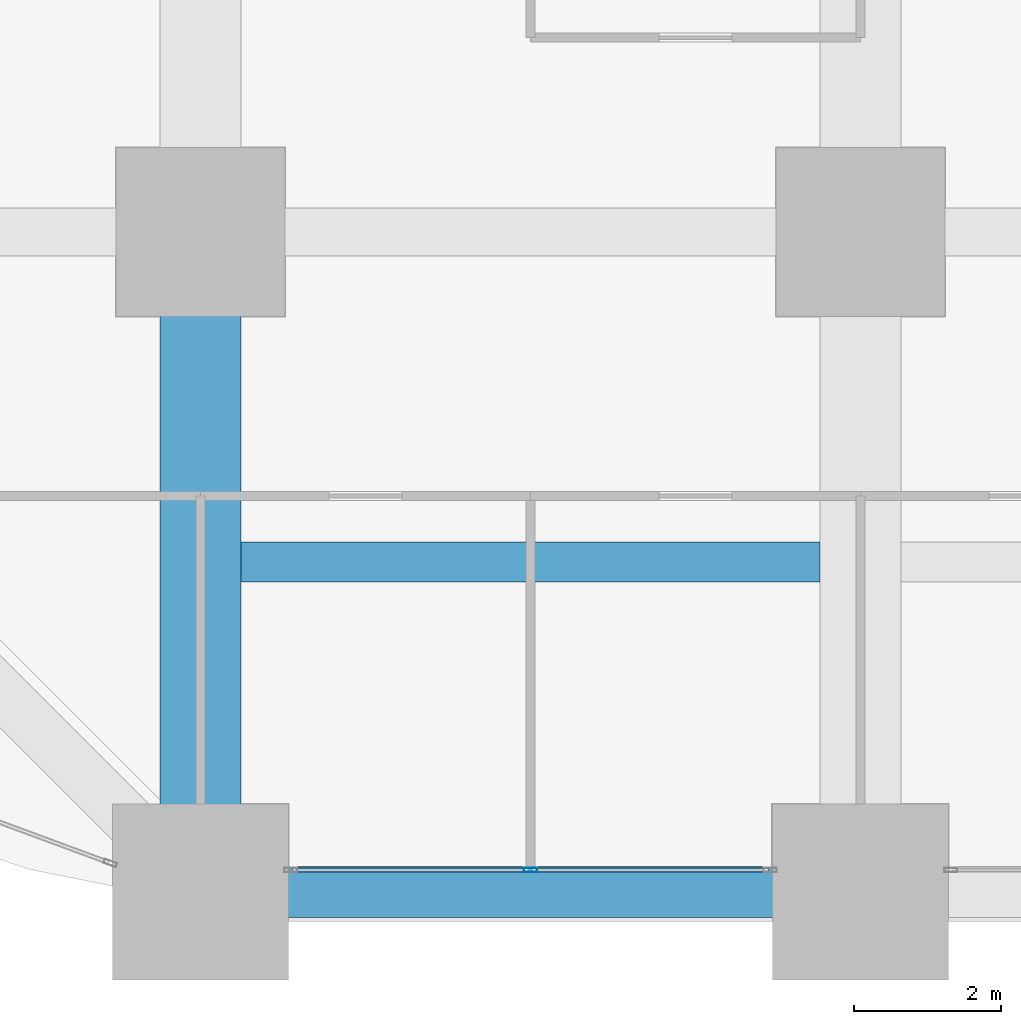
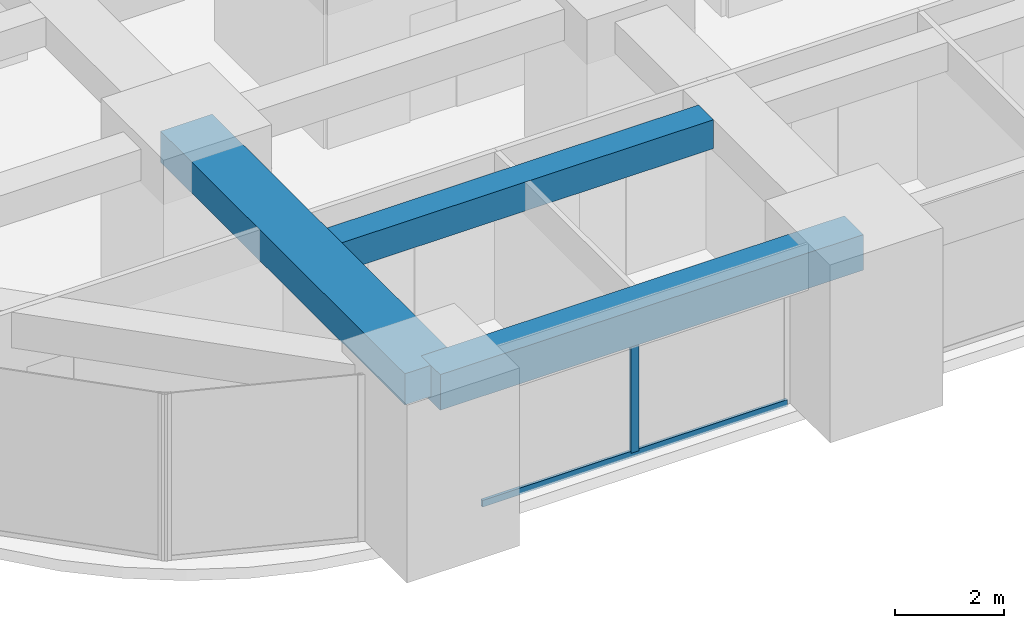
# One storey, part 3 of 45: 3 beams, 2 members, 1 element without a shape of its own.
"""IFC4 building model written with IfcOpenShell, lengths in metres."""

import ifcopenshell
import ifcopenshell.guid

model = None  # the IFC model being written
_history = None  # IfcOwnerHistory: only IFC2X3 demands one
_inside = {}  # id of a spatial element -> (the spatial element, [elements in it])
_under = {}  # id of a project, library or spatial element -> (it, [spatial elements below it])
_declared = {}  # id of a project -> (the project, [libraries it declares])
_typed = {}  # id of a type object -> (the type object, [elements of that type])
_made_of = {}  # id of a material, layer set ... -> (it, [elements and type objects made of it])


def new_model(schema):
    """Start an empty IFC model of exactly this schema.

    Asked for "IFC4X3", IfcOpenShell would pick the latest addendum, in which some entities
    have other attributes; the version numbers below select the first issue.
    IFC2X3 requires an IfcOwnerHistory on every rooted entity: one is made here for all.
    """
    global model, _history
    if schema == "IFC4X3":
        model = ifcopenshell.file(schema_version=(4, 3, 0, 0))
    else:
        model = ifcopenshell.file(schema=schema)
    _inside.clear()
    _under.clear()
    _declared.clear()
    _typed.clear()
    _made_of.clear()
    _history = None
    if model.schema == "IFC2X3":
        org = make("IfcOrganization", Name="unknown")
        user = make(
            "IfcPersonAndOrganization",
            ThePerson=make("IfcPerson", FamilyName="unknown"),
            TheOrganization=org,
        )
        app = make(
            "IfcApplication",
            ApplicationDeveloper=org,
            Version="unknown",
            ApplicationFullName="unknown",
            ApplicationIdentifier="unknown",
        )
        _history = make(
            "IfcOwnerHistory",
            OwningUser=user,
            OwningApplication=app,
            ChangeAction="ADDED",
            CreationDate=0,
        )
    return model


def make(cls, **values):
    """One entity of the class cls with the attributes given. An attribute that is None is left unset."""
    return model.create_entity(
        cls, **{name: value for name, value in values.items() if value is not None}
    )


def rooted(cls, **values):
    """An entity with a GlobalId (a new one), such as an element, a storey or a relation."""
    return make(cls, GlobalId=ifcopenshell.guid.new(), OwnerHistory=_history, **values)


def si_unit(unit_type, name, prefix=None):
    """IfcSIUnit, for example si_unit("LENGTHUNIT", "METRE", prefix="MILLI")."""
    return make("IfcSIUnit", UnitType=unit_type, Prefix=prefix, Name=name)


def assignment(units):
    """IfcUnitAssignment: the units of a project."""
    return None if units is None else make("IfcUnitAssignment", Units=units)


def point(xyz):
    """IfcCartesianPoint."""
    return None if xyz is None else make("IfcCartesianPoint", Coordinates=xyz)


def direction(xyz):
    """IfcDirection."""
    return None if xyz is None else make("IfcDirection", DirectionRatios=xyz)


def frame(location, z_axis=None, x_axis=None):
    """IfcAxis2Placement3D, a coordinate frame: its origin and axes. An axis left out is left unset."""
    return make(
        "IfcAxis2Placement3D",
        Location=point(location),
        Axis=direction(z_axis),
        RefDirection=direction(x_axis),
    )


def frame_2d(location, x_axis=None):
    """IfcAxis2Placement2D, a coordinate frame in the plane: its origin and x axis."""
    return make(
        "IfcAxis2Placement2D", Location=point(location), RefDirection=direction(x_axis)
    )


def origin():
    """The frame at (0, 0, 0) with its axes left unset."""
    return frame((0.0, 0.0, 0.0))


def origin_2d():
    """The frame at (0, 0) in the plane with its x axis left unset."""
    return frame_2d((0.0, 0.0))


def place(relative_to, where):
    """IfcLocalPlacement: puts the frame where relative to a parent placement (None: the world)."""
    return make(
        "IfcLocalPlacement", PlacementRelTo=relative_to, RelativePlacement=where
    )


def context(
    kind, dimensions, precision=None, world=None, true_north=None, identifier=None
):
    """IfcGeometricRepresentationContext, for example the 3D "Model" context."""
    return make(
        "IfcGeometricRepresentationContext",
        ContextIdentifier=identifier,
        ContextType=kind,
        CoordinateSpaceDimension=dimensions,
        Precision=precision,
        WorldCoordinateSystem=world,
        TrueNorth=true_north,
    )


def subcontext(parent, identifier, kind, view, scale=None):
    """IfcGeometricRepresentationSubContext, for example "Body" below "Model"."""
    return make(
        "IfcGeometricRepresentationSubContext",
        ContextIdentifier=identifier,
        ContextType=kind,
        ParentContext=parent,
        TargetScale=scale,
        TargetView=view,
    )


def project(units=None, contexts=None):
    """IfcProject with its units and contexts."""
    return rooted(
        "IfcProject",
        Name="project",
        RepresentationContexts=contexts,
        UnitsInContext=assignment(units),
    )


def spatial(cls, under=None, at=None, **own):
    """A site, building, storey or space (cls), placed at a placement, below another one or the project."""
    s = rooted(cls, ObjectPlacement=at, **own)
    if under is not None:
        _under.setdefault(under.id(), (under, []))[1].append(s)
    return s


def profile(cls, at=None, kind="AREA", **sizes):
    """A parametric profile (cls). Its sizes go by their IFC names, for example OverallWidth=200.0."""
    return make(cls, ProfileType=kind, Position=at, **sizes)


def rectangle(**sizes):
    """IfcRectangleProfileDef."""
    return profile("IfcRectangleProfileDef", **sizes)


def hollow_rectangle(**sizes):
    """IfcRectangleHollowProfileDef."""
    return profile("IfcRectangleHollowProfileDef", **sizes)


def extrude(swept, where, along, depth):
    """IfcExtrudedAreaSolid: the profile swept, set in the frame where, extruded along a direction by depth."""
    return make(
        "IfcExtrudedAreaSolid",
        SweptArea=swept,
        Position=where,
        ExtrudedDirection=direction(along),
        Depth=depth,
    )


def shape(context_of_items, identifier, shape_type, items):
    """IfcShapeRepresentation: the items that make up one representation, for example the "Body"."""
    return make(
        "IfcShapeRepresentation",
        ContextOfItems=context_of_items,
        RepresentationIdentifier=identifier,
        RepresentationType=shape_type,
        Items=items,
    )


def material(Name=None, Category=None):
    """IfcMaterial."""
    return make("IfcMaterial", Name=Name, Category=Category)


def material_profile(
    of_material, cross_section, Name=None, Category=None, Priority=None
):
    """IfcMaterialProfile: a cross section and its material."""
    return make(
        "IfcMaterialProfile",
        Name=Name,
        Material=of_material,
        Profile=cross_section,
        Priority=Priority,
        Category=Category,
    )


def profile_set(profiles, Name=None, composite=None):
    """IfcMaterialProfileSet."""
    return make(
        "IfcMaterialProfileSet",
        Name=Name,
        MaterialProfiles=profiles,
        CompositeProfile=composite,
    )


def made_of(thing, what):
    """Note that an element or type object is made of a material, layer set ...; save() writes the relation."""
    if what is not None:
        _made_of.setdefault(what.id(), (what, []))[1].append(thing)
    return thing


def type_object(cls, material=None, **own):
    """A type object (cls), such as IfcWallType, which elements share."""
    return made_of(rooted(cls, **own), material)


def element(
    cls,
    number,
    at=None,
    inside=None,
    cuts=None,
    type_object=None,
    material=None,
    context=None,
    identifier="Body",
    shape_type=None,
    held_by="IfcProductDefinitionShape",
    body=None,
    shapes=None,
    **own,
):
    """One element of the class cls, such as IfcWall. Its Tag is "e" and its number.

    at: its placement. inside: the storey or other place that contains it. cuts: it is an
    opening in that element (IfcRelVoidsElement). A single representation is given by context,
    identifier, shape_type and body (its items); several are given by shapes. held_by: the class
    of the entity that holds the representations. save() writes the other relations.
    """
    e = rooted(cls, Tag="e%d" % number, ObjectPlacement=at, **own)
    if body is not None:
        shapes = [shape(context, identifier, shape_type, body)]
    if shapes is not None:
        e.Representation = make(held_by, Representations=shapes)
    if inside is not None:
        _inside.setdefault(inside.id(), (inside, []))[1].append(e)
    if cuts is not None:
        rooted(
            "IfcRelVoidsElement", RelatingBuildingElement=cuts, RelatedOpeningElement=e
        )
    if type_object is not None:
        _typed.setdefault(type_object.id(), (type_object, []))[1].append(e)
    return made_of(e, material)


def aggregate(whole, parts):
    """IfcRelAggregates: a whole, such as a stair, and the parts it consists of."""
    return rooted("IfcRelAggregates", RelatingObject=whole, RelatedObjects=parts)


def save(model, path):
    """Write the relations noted so far, then the file.

    IfcRelAggregates (storeys below a building ...), IfcRelContainedInSpatialStructure (elements
    in a storey), IfcRelDefinesByType, IfcRelAssociatesMaterial and IfcRelDeclares: one each for
    every whole, place, type object, material and project.
    """
    for whole, parts in _under.values():
        aggregate(whole, parts)
    for where, things in _inside.values():
        rooted(
            "IfcRelContainedInSpatialStructure",
            RelatedElements=things,
            RelatingStructure=where,
        )
    for kind, things in _typed.values():
        rooted("IfcRelDefinesByType", RelatedObjects=things, RelatingType=kind)
    for what, things in _made_of.values():
        rooted("IfcRelAssociatesMaterial", RelatedObjects=things, RelatingMaterial=what)
    for by, libraries in _declared.values():
        rooted("IfcRelDeclares", RelatingContext=by, RelatedDefinitions=libraries)
    model.write(path)


model = new_model("IFC4")

# Units and contexts
model_context = context("Model", 3, precision=1e-05, world=origin(), true_north=direction((0.0, 1.0)))
body_context = subcontext(model_context, "Body", "Model", "MODEL_VIEW")
ifc_project = project(units=[si_unit("LENGTHUNIT", "METRE"), si_unit("AREAUNIT", "SQUARE_METRE"), si_unit("VOLUMEUNIT", "CUBIC_METRE"), si_unit("PLANEANGLEUNIT", "RADIAN"), si_unit("MASSUNIT", "GRAM", prefix="KILO")], contexts=[model_context])

# Site, building, storey
site_placement = place(None, origin())
site = spatial("IfcSite", under=ifc_project, at=site_placement, CompositionType="ELEMENT")
building_placement = place(site_placement, origin())
building = spatial("IfcBuilding", under=site, at=building_placement, Name="Zorevar Civic Tower", CompositionType="ELEMENT")
storey_placement = place(building_placement, frame((0.0, 0.0, 27.800048828125)))
storey = spatial("IfcBuildingStorey", under=building, at=storey_placement, Name="L06", CompositionType="ELEMENT", Elevation=27.800048828125)

# Beams
ifc_material_1 = material(Name="Concrete C50/60", Category="concrete")
ifc_material_profile_1 = material_profile(ifc_material_1, rectangle(XDim=1.10009765625, YDim=0.699951171875, at=origin_2d()), Name="RC 1100x700")
ifc_profile_set_1 = profile_set([ifc_material_profile_1], Name="Concrete C50/60")
beam_type_1 = type_object("IfcBeamType", Name="Beam RC 1100x700", PredefinedType="BEAM", material=ifc_profile_set_1)
beam_1_placement = place(storey_placement, frame((9.0, 0.0, 3.39990234375), z_axis=(0.0, 1.0, 0.0), x_axis=(-1.0, 0.0, 0.0)))
element("IfcBeam", 1, at=beam_1_placement, inside=storey, type_object=beam_type_1, Name="Girder L07", PredefinedType="BEAM", context=body_context, shape_type="SweptSolid", body=[
    extrude(rectangle(XDim=1.10009765625, YDim=0.699951171875, at=origin_2d()), origin(), (0.0, 0.0, 1.0), 9.0),
])
ifc_material_2 = material(Name="Concrete C50/60", Category="concrete")
ifc_material_profile_2 = material_profile(ifc_material_2, rectangle(XDim=0.550048828125, YDim=0.64990234375, at=origin_2d()), Name="RC 550x650")
ifc_profile_set_2 = profile_set([ifc_material_profile_2], Name="Concrete C50/60")
beam_type_2 = type_object("IfcBeamType", Name="Beam RC 550x650", PredefinedType="BEAM", material=ifc_profile_set_2)
beam_2_placement = place(storey_placement, frame((9.550048828125, 4.5, 3.425048828125), z_axis=(1.0, 0.0, 0.0), x_axis=(0.0, 1.0, 0.0)))
element("IfcBeam", 2, at=beam_2_placement, inside=storey, type_object=beam_type_2, Name="Secondary beam L07", PredefinedType="BEAM", context=body_context, shape_type="SweptSolid", body=[
    extrude(rectangle(XDim=0.550048828125, YDim=0.64990234375, at=origin_2d()), origin(), (0.0, 0.0, 1.0), 7.89990234375),
])

# Curtain wall, members
ifc_material_3 = material(Name="Dark grey solar-control glass in black aluminium frame", Category="aluminium")
curtain_wall_type = type_object("IfcCurtainWallType", Name="Curtain wall CW2 low zone", PredefinedType="NOTDEFINED", material=ifc_material_3)
curtain_wall_placement = place(storey_placement, origin())
curtain_wall = element("IfcCurtainWall", 3, at=curtain_wall_placement, inside=storey, type_object=curtain_wall_type, Name="CW2 L06", PredefinedType="NOTDEFINED")
ifc_material_4 = material(Name="Aluminium, black anodised", Category="aluminium")
ifc_material_profile_3 = material_profile(ifc_material_4, hollow_rectangle(XDim=0.06005859375, YDim=0.179931640625, WallThickness=0.00390625, at=origin_2d()), Name="AL 180x60x4")
ifc_profile_set_3 = profile_set([ifc_material_profile_3], Name="Aluminium, black anodised")
member_type_1 = type_object("IfcMemberType", Name="CW2 mullion AL 180x60x4", PredefinedType="MULLION", material=ifc_profile_set_3)
member_1_placement = place(storey_placement, frame((13.5, 0.300048828125, 0.06005859375), z_axis=(0.0, 0.0, 1.0), x_axis=(0.0, 1.0, 0.0)))
member_1 = element("IfcMember", 4, at=member_1_placement, type_object=member_type_1, Name="CW2 mullion 2", PredefinedType="MULLION", context=body_context, shape_type="SweptSolid", body=[
    extrude(hollow_rectangle(XDim=0.06005859375, YDim=0.179931640625, WallThickness=0.00390625, at=origin_2d()), origin(), (0.0, 0.0, 1.0), 2.889892578125),
])
ifc_material_5 = material(Name="Aluminium, black anodised", Category="aluminium")
ifc_material_profile_4 = material_profile(ifc_material_5, hollow_rectangle(XDim=0.06005859375, YDim=0.14990234375, WallThickness=0.00390625, at=origin_2d()), Name="AL 150x60x4")
ifc_profile_set_4 = profile_set([ifc_material_profile_4], Name="Aluminium, black anodised")
member_type_2 = type_object("IfcMemberType", Name="CW2 transom AL 150x60x4", PredefinedType="USERDEFINED", material=ifc_profile_set_4)
member_2_placement = place(storey_placement, frame((10.260009765625, 0.300048828125, 0.030029296875), z_axis=(1.0, 0.0, 0.0), x_axis=(0.0, 1.0, 0.0)))
member_2 = element("IfcMember", 5, at=member_2_placement, type_object=member_type_2, Name="CW2 sill transom", ObjectType="TRANSOM", PredefinedType="USERDEFINED", context=body_context, shape_type="SweptSolid", body=[
    extrude(hollow_rectangle(XDim=0.06005859375, YDim=0.14990234375, WallThickness=0.00390625, at=origin_2d()), origin(), (0.0, 0.0, 1.0), 6.47998046875),
])
aggregate(curtain_wall, [member_1, member_2])

# Beam
ifc_material_6 = material(Name="Concrete C50/60", Category="concrete")
ifc_material_profile_5 = material_profile(ifc_material_6, rectangle(XDim=0.699951171875, YDim=0.800048828125, at=origin_2d()), Name="RC 700x800")
ifc_profile_set_5 = profile_set([ifc_material_profile_5], Name="Concrete C50/60")
beam_type_3 = type_object("IfcBeamType", Name="Edge beam RC 700x800", PredefinedType="SPANDREL", material=ifc_profile_set_5)
beam_3_placement = place(storey_placement, frame((9.0, 0.0, 3.349853515625), z_axis=(1.0, 0.0, 0.0), x_axis=(0.0, 1.0, 0.0)))
element("IfcBeam", 6, at=beam_3_placement, inside=storey, type_object=beam_type_3, Name="Edge beam L07", PredefinedType="SPANDREL", context=body_context, shape_type="SweptSolid", body=[
    extrude(rectangle(XDim=0.699951171875, YDim=0.800048828125, at=origin_2d()), origin(), (0.0, 0.0, 1.0), 9.0),
])

save(model, "model.ifc")
